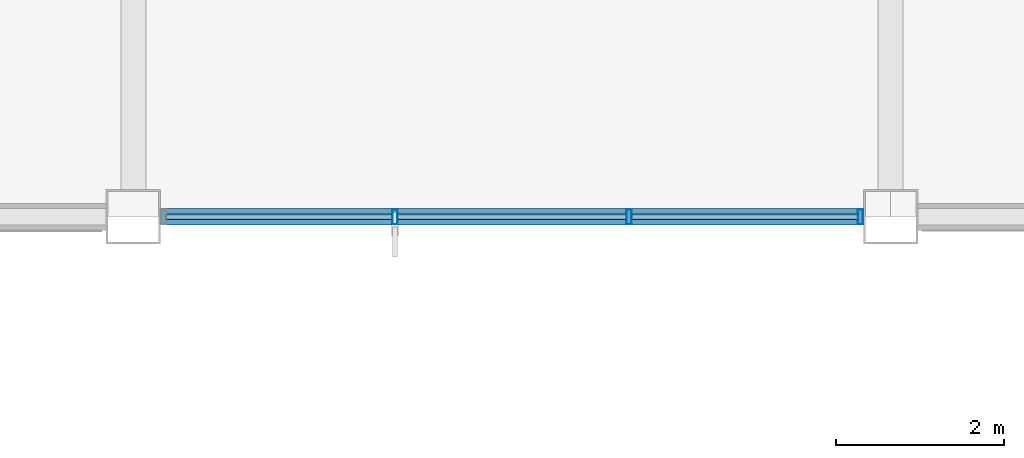
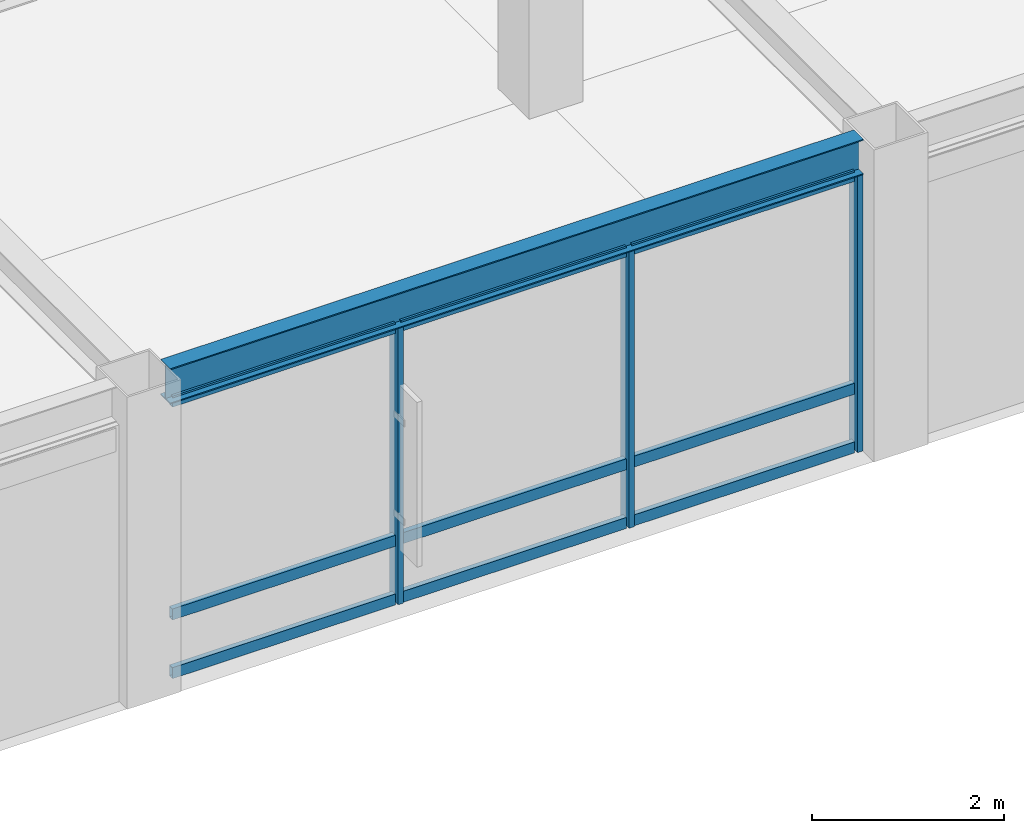
# One storey, part 71 of 106: 12 members, 1 beam, 1 element without a shape of its own.
"""IFC4 building model written with IfcOpenShell, lengths in metres."""

from ifc_helpers import new_model, si_unit, direction, frame, origin, origin_2d, place, context, subcontext, project, spatial, hollow_rectangle, i_section, extrude, material, material_profile, profile_set, type_object, element, aggregate, save


model = new_model("IFC4")

# Units and contexts
model_context = context("Model", 3, precision=1e-05, world=origin(), true_north=direction((0.0, 1.0)))
body_context = subcontext(model_context, "Body", "Model", "MODEL_VIEW")
ifc_project = project(units=[si_unit("LENGTHUNIT", "METRE"), si_unit("AREAUNIT", "SQUARE_METRE"), si_unit("VOLUMEUNIT", "CUBIC_METRE"), si_unit("PLANEANGLEUNIT", "RADIAN"), si_unit("MASSUNIT", "GRAM", prefix="KILO")], contexts=[model_context])

# Site, building, storey
site_placement = place(None, origin())
site = spatial("IfcSite", under=ifc_project, at=site_placement, CompositionType="ELEMENT")
building_placement = place(site_placement, origin())
building = spatial("IfcBuilding", under=site, at=building_placement, Name="Kazanami Central Library", CompositionType="ELEMENT")
storey_placement = place(building_placement, frame((0.0, 0.0, 12.800048828125)))
storey = spatial("IfcBuildingStorey", under=building, at=storey_placement, Name="L04", CompositionType="ELEMENT", Elevation=12.800048828125)

# Beam
ifc_material_1 = material(Name="Steel SN490B (325 MPa)", Category="steel")
ifc_material_profile_1 = material_profile(ifc_material_1, i_section(OverallWidth=0.199951171875, OverallDepth=0.449951171875, WebThickness=0.009033203125, FlangeThickness=0.013916015625, at=origin_2d()), Name="H-450x200x9x14")
ifc_profile_set_1 = profile_set([ifc_material_profile_1], Name="Steel SN490B (325 MPa)")
beam_type = type_object("IfcBeamType", Name="BM-SP-2", PredefinedType="SPANDREL", material=ifc_profile_set_1)
beam_placement = place(storey_placement, frame((126.322998046875, 43.199951171875, 3.75), z_axis=(1.0, 0.0, 0.0), x_axis=(0.0, 1.0, 0.0)))
element("IfcBeam", 1, at=beam_placement, inside=storey, type_object=beam_type, Name="Girder SP-2 L04 G/15-16", PredefinedType="SPANDREL", context=body_context, shape_type="SweptSolid", body=[
    extrude(i_section(OverallWidth=0.199951171875, OverallDepth=0.449951171875, WebThickness=0.009033203125, FlangeThickness=0.013916015625, at=origin_2d()), origin(), (0.0, 0.0, 1.0), 8.35400390625),
])

# Curtain wall, members
ifc_material_2 = material(Name="Acid-Etched Low-E Laminated Glass", Category="glass")
curtain_wall_type = type_object("IfcCurtainWallType", Name="CW-8350x3525-M275", PredefinedType="USERDEFINED", material=ifc_material_2)
curtain_wall_placement = place(storey_placement, origin())
curtain_wall = element("IfcCurtainWall", 2, at=curtain_wall_placement, inside=storey, type_object=curtain_wall_type, Name="Unitised Curtain Wall CW-37 L04 S-G-14", ObjectType="UNITISED CURTAIN WALL", PredefinedType="USERDEFINED")
ifc_material_3 = material(Name="Anodised Aluminium A6063-T5", Category="aluminium")
ifc_material_profile_2 = material_profile(ifc_material_3, hollow_rectangle(XDim=0.06494140625, YDim=0.179931640625, WallThickness=0.00390625, at=origin_2d()), Name="ALU-MULL-65x180x4")
ifc_profile_set_2 = profile_set([ifc_material_profile_2], Name="Anodised Aluminium A6063-T5")
member_type_1 = type_object("IfcMemberType", Name="MEM-CW-M2", PredefinedType="MULLION", material=ifc_profile_set_2)
member_1_placement = place(storey_placement, frame((129.1083984375, 43.199951171875, 0.0), z_axis=(0.0, 0.0, 1.0), x_axis=(1.0, 0.0, 0.0)))
member_1 = element("IfcMember", 3, at=member_1_placement, type_object=member_type_1, Name="CW-37 mullion 2", PredefinedType="MULLION", context=body_context, shape_type="SweptSolid", body=[
    extrude(hollow_rectangle(XDim=0.06494140625, YDim=0.179931640625, WallThickness=0.00390625, at=origin_2d()), origin(), (0.0, 0.0, 1.0), 3.52490234375),
])
member_2_placement = place(storey_placement, frame((131.8916015625, 43.199951171875, 0.0), z_axis=(0.0, 0.0, 1.0), x_axis=(1.0, 0.0, 0.0)))
member_2 = element("IfcMember", 4, at=member_2_placement, type_object=member_type_1, Name="CW-37 mullion 3", PredefinedType="MULLION", context=body_context, shape_type="SweptSolid", body=[
    extrude(hollow_rectangle(XDim=0.06494140625, YDim=0.179931640625, WallThickness=0.00390625, at=origin_2d()), origin(), (0.0, 0.0, 1.0), 3.52490234375),
])
member_3_placement = place(storey_placement, frame((134.642578125, 43.199951171875, 0.0), z_axis=(0.0, 0.0, 1.0), x_axis=(1.0, 0.0, 0.0)))
member_3 = element("IfcMember", 5, at=member_3_placement, type_object=member_type_1, Name="CW-37 mullion 4", PredefinedType="MULLION", context=body_context, shape_type="SweptSolid", body=[
    extrude(hollow_rectangle(XDim=0.06494140625, YDim=0.179931640625, WallThickness=0.00390625, at=origin_2d()), origin(), (0.0, 0.0, 1.0), 3.52490234375),
])
ifc_material_profile_3 = material_profile(ifc_material_3, hollow_rectangle(XDim=0.06494140625, YDim=0.139892578125, WallThickness=0.00390625, at=origin_2d()), Name="ALU-TRAN-65x140x4")
ifc_profile_set_3 = profile_set([ifc_material_profile_3], Name="Anodised Aluminium A6063-T5")
member_type_2 = type_object("IfcMemberType", Name="MEM-CW-T2", PredefinedType="USERDEFINED", material=ifc_profile_set_3)
member_4_placement = place(storey_placement, frame((126.389892578125, 43.199951171875, 0.032470703125), z_axis=(1.0, 0.0, 0.0), x_axis=(0.0, 1.0, 0.0)))
member_4 = element("IfcMember", 6, at=member_4_placement, type_object=member_type_2, Name="CW-37 transom 1.1", ObjectType="TRANSOM", PredefinedType="USERDEFINED", context=body_context, shape_type="SweptSolid", body=[
    extrude(hollow_rectangle(XDim=0.06494140625, YDim=0.139892578125, WallThickness=0.00390625, at=origin_2d()), origin(), (0.0, 0.0, 1.0), 2.68603515625),
])
member_5_placement = place(storey_placement, frame((126.389892578125, 43.199951171875, 0.780029296875), z_axis=(1.0, 0.0, 0.0), x_axis=(0.0, 1.0, 0.0)))
member_5 = element("IfcMember", 7, at=member_5_placement, type_object=member_type_2, Name="CW-37 transom 1.2", ObjectType="TRANSOM", PredefinedType="USERDEFINED", context=body_context, shape_type="SweptSolid", body=[
    extrude(hollow_rectangle(XDim=0.06494140625, YDim=0.139892578125, WallThickness=0.00390625, at=origin_2d()), origin(), (0.0, 0.0, 1.0), 2.68603515625),
])
member_6_placement = place(storey_placement, frame((126.389892578125, 43.199951171875, 3.492431640625), z_axis=(1.0, 0.0, 0.0), x_axis=(0.0, 1.0, 0.0)))
member_6 = element("IfcMember", 8, at=member_6_placement, type_object=member_type_2, Name="CW-37 transom 1.3", ObjectType="TRANSOM", PredefinedType="USERDEFINED", context=body_context, shape_type="SweptSolid", body=[
    extrude(hollow_rectangle(XDim=0.06494140625, YDim=0.139892578125, WallThickness=0.00390625, at=origin_2d()), origin(), (0.0, 0.0, 1.0), 2.68603515625),
])
member_7_placement = place(storey_placement, frame((129.140869140625, 43.199951171875, 0.032470703125), z_axis=(1.0, 0.0, 0.0), x_axis=(0.0, 1.0, 0.0)))
member_7 = element("IfcMember", 9, at=member_7_placement, type_object=member_type_2, Name="CW-37 transom 2.1", ObjectType="TRANSOM", PredefinedType="USERDEFINED", context=body_context, shape_type="SweptSolid", body=[
    extrude(hollow_rectangle(XDim=0.06494140625, YDim=0.139892578125, WallThickness=0.00390625, at=origin_2d()), origin(), (0.0, 0.0, 1.0), 2.71826171875),
])
member_8_placement = place(storey_placement, frame((129.140869140625, 43.199951171875, 0.780029296875), z_axis=(1.0, 0.0, 0.0), x_axis=(0.0, 1.0, 0.0)))
member_8 = element("IfcMember", 10, at=member_8_placement, type_object=member_type_2, Name="CW-37 transom 2.2", ObjectType="TRANSOM", PredefinedType="USERDEFINED", context=body_context, shape_type="SweptSolid", body=[
    extrude(hollow_rectangle(XDim=0.06494140625, YDim=0.139892578125, WallThickness=0.00390625, at=origin_2d()), origin(), (0.0, 0.0, 1.0), 2.71826171875),
])
member_9_placement = place(storey_placement, frame((129.140869140625, 43.199951171875, 3.492431640625), z_axis=(1.0, 0.0, 0.0), x_axis=(0.0, 1.0, 0.0)))
member_9 = element("IfcMember", 11, at=member_9_placement, type_object=member_type_2, Name="CW-37 transom 2.3", ObjectType="TRANSOM", PredefinedType="USERDEFINED", context=body_context, shape_type="SweptSolid", body=[
    extrude(hollow_rectangle(XDim=0.06494140625, YDim=0.139892578125, WallThickness=0.00390625, at=origin_2d()), origin(), (0.0, 0.0, 1.0), 2.71826171875),
])
member_10_placement = place(storey_placement, frame((131.924072265625, 43.199951171875, 0.032470703125), z_axis=(1.0, 0.0, 0.0), x_axis=(0.0, 1.0, 0.0)))
member_10 = element("IfcMember", 12, at=member_10_placement, type_object=member_type_2, Name="CW-37 transom 3.1", ObjectType="TRANSOM", PredefinedType="USERDEFINED", context=body_context, shape_type="SweptSolid", body=[
    extrude(hollow_rectangle(XDim=0.06494140625, YDim=0.139892578125, WallThickness=0.00390625, at=origin_2d()), origin(), (0.0, 0.0, 1.0), 2.68603515625),
])
member_11_placement = place(storey_placement, frame((131.924072265625, 43.199951171875, 0.780029296875), z_axis=(1.0, 0.0, 0.0), x_axis=(0.0, 1.0, 0.0)))
member_11 = element("IfcMember", 13, at=member_11_placement, type_object=member_type_2, Name="CW-37 transom 3.2", ObjectType="TRANSOM", PredefinedType="USERDEFINED", context=body_context, shape_type="SweptSolid", body=[
    extrude(hollow_rectangle(XDim=0.06494140625, YDim=0.139892578125, WallThickness=0.00390625, at=origin_2d()), origin(), (0.0, 0.0, 1.0), 2.68603515625),
])
member_12_placement = place(storey_placement, frame((131.924072265625, 43.199951171875, 3.492431640625), z_axis=(1.0, 0.0, 0.0), x_axis=(0.0, 1.0, 0.0)))
member_12 = element("IfcMember", 14, at=member_12_placement, type_object=member_type_2, Name="CW-37 transom 3.3", ObjectType="TRANSOM", PredefinedType="USERDEFINED", context=body_context, shape_type="SweptSolid", body=[
    extrude(hollow_rectangle(XDim=0.06494140625, YDim=0.139892578125, WallThickness=0.00390625, at=origin_2d()), origin(), (0.0, 0.0, 1.0), 2.68603515625),
])
aggregate(curtain_wall, [member_1, member_2, member_3, member_4, member_5, member_6, member_7, member_8, member_9, member_10, member_11, member_12])

save(model, "model.ifc")
